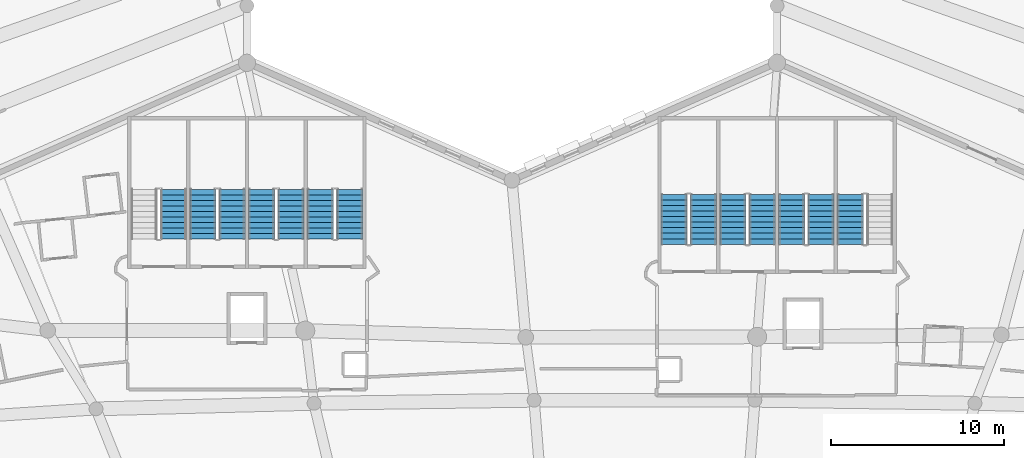
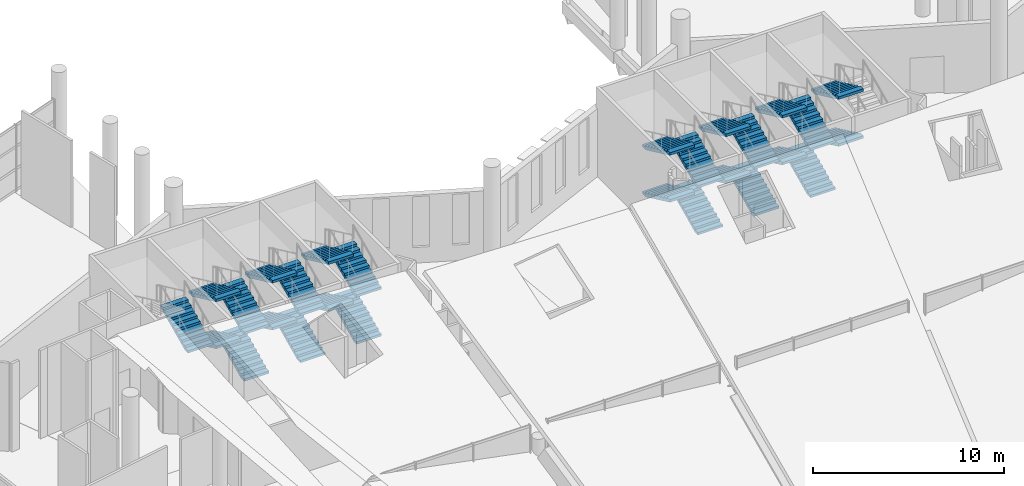
# One storey, part 194 of 249: 27 stair flights, 8 elements without a shape of their own.
"""IFC4 building model written with IfcOpenShell, lengths in metres."""

from ifc_helpers import new_model, si_unit, direction, frame, origin, place, context, subcontext, project, spatial, polyline, outline, extrude, material, type_object, element, aggregate, save


model = new_model("IFC4")

# Units and contexts
model_context = context("Model", 3, precision=1e-05, world=origin(), true_north=direction((0.0, 1.0)))
body_context = subcontext(model_context, "Body", "Model", "MODEL_VIEW")
ifc_project = project(units=[si_unit("LENGTHUNIT", "METRE"), si_unit("AREAUNIT", "SQUARE_METRE"), si_unit("VOLUMEUNIT", "CUBIC_METRE"), si_unit("PLANEANGLEUNIT", "RADIAN"), si_unit("MASSUNIT", "GRAM", prefix="KILO")], contexts=[model_context])

# Site, building, storey
site_placement = place(None, origin())
site = spatial("IfcSite", under=ifc_project, at=site_placement, CompositionType="ELEMENT")
building_placement = place(site_placement, origin())
building = spatial("IfcBuilding", under=site, at=building_placement, Name="Meseta Stadium", CompositionType="ELEMENT")
storey_placement = place(building_placement, frame((0.0, 0.0, 12.0)))
storey = spatial("IfcBuildingStorey", under=building, at=storey_placement, Name="L02", CompositionType="ELEMENT", Elevation=12.0)

# Stair, stair flights
ifc_material_1 = material(Name="Concrete C40/50", Category="concrete")
stair_type = type_object("IfcStairType", Name="Exit stair 4 flights 150 mm risers", PredefinedType="HALF_TURN_STAIR", material=ifc_material_1)
stair_1_placement = place(storey_placement, origin())
stair_1 = element("IfcStair", 1, at=stair_1_placement, inside=storey, type_object=stair_type, Name="ST37 L02", PredefinedType="HALF_TURN_STAIR")
ifc_material_2 = material(Name="Concrete C40/50", Category="concrete")
stair_flight_type = type_object("IfcStairFlightType", Name="Exit stair flight 150 mm risers, 4 per storey", PredefinedType="STRAIGHT", material=ifc_material_2)
stair_flight_1_placement = place(storey_placement, frame((11.916748046875, 97.780029296875, 1.5), z_axis=(0.0, 0.0, 1.0), x_axis=(0.0, -1.0, 0.0)))
stair_flight_1 = element("IfcStairFlight", 2, at=stair_flight_1_placement, type_object=stair_flight_type, Name="ST37 L02 flight 2", NumberOfRisers=10, NumberOfTreads=9, PredefinedType="STRAIGHT", RiserHeight=0.15, TreadLength=0.32, context=body_context, shape_type="SweptSolid", body=[
    extrude(outline(polyline([(0.0, 0.0), (0.0, 0.14990234375), (0.320068359375, 0.14990234375), (0.320068359375, 0.300048828125), (0.639892578125, 0.300048828125), (0.639892578125, 0.449951171875), (0.9599609375, 0.449951171875), (0.9599609375, 0.60009765625), (1.280029296875, 0.60009765625), (1.280029296875, 0.75), (1.60009765625, 0.75), (1.60009765625, 0.89990234375), (1.919921875, 0.89990234375), (1.919921875, 1.050048828125), (2.239990234375, 1.050048828125), (2.239990234375, 1.199951171875), (2.56005859375, 1.199951171875), (2.56005859375, 1.35009765625), (2.8798828125, 1.35009765625), (2.8798828125, 1.184326171875), (0.353271484375, 0.0), (0.0, 0.0)])), frame((0.0, 0.75, 0.0), z_axis=(0.0, -1.0, 0.0), x_axis=(1.0, 0.0, 0.0)), (0.0, 0.0, 1.0), 1.5),
])
stair_flight_2_placement = place(storey_placement, frame((11.916748046875, 97.780029296875, 4.5), z_axis=(0.0, 0.0, 1.0), x_axis=(0.0, -1.0, 0.0)))
stair_flight_2 = element("IfcStairFlight", 3, at=stair_flight_2_placement, type_object=stair_flight_type, Name="ST37 L02 flight 4", NumberOfRisers=10, NumberOfTreads=9, PredefinedType="STRAIGHT", RiserHeight=0.15, TreadLength=0.32, context=body_context, shape_type="SweptSolid", body=[
    extrude(outline(polyline([(0.0, 0.0), (0.0, 0.14990234375), (0.320068359375, 0.14990234375), (0.320068359375, 0.300048828125), (0.639892578125, 0.300048828125), (0.639892578125, 0.449951171875), (0.9599609375, 0.449951171875), (0.9599609375, 0.60009765625), (1.280029296875, 0.60009765625), (1.280029296875, 0.75), (1.60009765625, 0.75), (1.60009765625, 0.89990234375), (1.919921875, 0.89990234375), (1.919921875, 1.050048828125), (2.239990234375, 1.050048828125), (2.239990234375, 1.199951171875), (2.56005859375, 1.199951171875), (2.56005859375, 1.35009765625), (2.8798828125, 1.35009765625), (2.8798828125, 1.184326171875), (0.353271484375, 0.0), (0.0, 0.0)])), frame((0.0, 0.75, 0.0), z_axis=(0.0, -1.0, 0.0), x_axis=(1.0, 0.0, 0.0)), (0.0, 0.0, 1.0), 1.5),
])
aggregate(stair_1, [stair_flight_1, stair_flight_2])

stair_2_placement = place(storey_placement, origin())
stair_2 = element("IfcStair", 4, at=stair_2_placement, inside=storey, type_object=stair_type, Name="ST38 L02", PredefinedType="HALF_TURN_STAIR")
stair_flight_3_placement = place(storey_placement, frame((10.216552734375, 94.89990234375, 0.0), z_axis=(0.0, 0.0, 1.0), x_axis=(0.0, 1.0, 0.0)))
stair_flight_3 = element("IfcStairFlight", 5, at=stair_flight_3_placement, type_object=stair_flight_type, Name="ST38 L02 flight 1", NumberOfRisers=10, NumberOfTreads=9, PredefinedType="STRAIGHT", RiserHeight=0.15, TreadLength=0.32, context=body_context, shape_type="SweptSolid", body=[
    extrude(outline(polyline([(0.0, 0.0), (0.0, 0.14990234375), (0.320068359375, 0.14990234375), (0.320068359375, 0.300048828125), (0.639892578125, 0.300048828125), (0.639892578125, 0.449951171875), (0.9599609375, 0.449951171875), (0.9599609375, 0.60009765625), (1.280029296875, 0.60009765625), (1.280029296875, 0.75), (1.60009765625, 0.75), (1.60009765625, 0.89990234375), (1.919921875, 0.89990234375), (1.919921875, 1.050048828125), (2.239990234375, 1.050048828125), (2.239990234375, 1.199951171875), (2.56005859375, 1.199951171875), (2.56005859375, 1.35009765625), (2.8798828125, 1.35009765625), (2.8798828125, 1.184326171875), (0.353271484375, 0.0), (0.0, 0.0)])), frame((0.0, 0.75, 0.0), z_axis=(0.0, -1.0, 0.0), x_axis=(1.0, 0.0, 0.0)), (0.0, 0.0, 1.0), 1.5),
])
stair_flight_4_placement = place(storey_placement, frame((8.5166015625, 97.780029296875, 1.5), z_axis=(0.0, 0.0, 1.0), x_axis=(0.0, -1.0, 0.0)))
stair_flight_4 = element("IfcStairFlight", 6, at=stair_flight_4_placement, type_object=stair_flight_type, Name="ST38 L02 flight 2", NumberOfRisers=10, NumberOfTreads=9, PredefinedType="STRAIGHT", RiserHeight=0.15, TreadLength=0.32, context=body_context, shape_type="SweptSolid", body=[
    extrude(outline(polyline([(0.0, 0.0), (0.0, 0.14990234375), (0.320068359375, 0.14990234375), (0.320068359375, 0.300048828125), (0.639892578125, 0.300048828125), (0.639892578125, 0.449951171875), (0.9599609375, 0.449951171875), (0.9599609375, 0.60009765625), (1.280029296875, 0.60009765625), (1.280029296875, 0.75), (1.60009765625, 0.75), (1.60009765625, 0.89990234375), (1.919921875, 0.89990234375), (1.919921875, 1.050048828125), (2.239990234375, 1.050048828125), (2.239990234375, 1.199951171875), (2.56005859375, 1.199951171875), (2.56005859375, 1.35009765625), (2.8798828125, 1.35009765625), (2.8798828125, 1.184326171875), (0.353271484375, 0.0), (0.0, 0.0)])), frame((0.0, 0.75, 0.0), z_axis=(0.0, -1.0, 0.0), x_axis=(1.0, 0.0, 0.0)), (0.0, 0.0, 1.0), 1.5),
])
stair_flight_5_placement = place(storey_placement, frame((10.216552734375, 94.89990234375, 3.0), z_axis=(0.0, 0.0, 1.0), x_axis=(0.0, 1.0, 0.0)))
stair_flight_5 = element("IfcStairFlight", 7, at=stair_flight_5_placement, type_object=stair_flight_type, Name="ST38 L02 flight 3", NumberOfRisers=10, NumberOfTreads=9, PredefinedType="STRAIGHT", RiserHeight=0.15, TreadLength=0.32, context=body_context, shape_type="SweptSolid", body=[
    extrude(outline(polyline([(0.0, 0.0), (0.0, 0.14990234375), (0.320068359375, 0.14990234375), (0.320068359375, 0.300048828125), (0.639892578125, 0.300048828125), (0.639892578125, 0.449951171875), (0.9599609375, 0.449951171875), (0.9599609375, 0.60009765625), (1.280029296875, 0.60009765625), (1.280029296875, 0.75), (1.60009765625, 0.75), (1.60009765625, 0.89990234375), (1.919921875, 0.89990234375), (1.919921875, 1.050048828125), (2.239990234375, 1.050048828125), (2.239990234375, 1.199951171875), (2.56005859375, 1.199951171875), (2.56005859375, 1.35009765625), (2.8798828125, 1.35009765625), (2.8798828125, 1.184326171875), (0.353271484375, 0.0), (0.0, 0.0)])), frame((0.0, 0.75, 0.0), z_axis=(0.0, -1.0, 0.0), x_axis=(1.0, 0.0, 0.0)), (0.0, 0.0, 1.0), 1.5),
])
stair_flight_6_placement = place(storey_placement, frame((8.5166015625, 97.780029296875, 4.5), z_axis=(0.0, 0.0, 1.0), x_axis=(0.0, -1.0, 0.0)))
stair_flight_6 = element("IfcStairFlight", 8, at=stair_flight_6_placement, type_object=stair_flight_type, Name="ST38 L02 flight 4", NumberOfRisers=10, NumberOfTreads=9, PredefinedType="STRAIGHT", RiserHeight=0.15, TreadLength=0.32, context=body_context, shape_type="SweptSolid", body=[
    extrude(outline(polyline([(0.0, 0.0), (0.0, 0.14990234375), (0.320068359375, 0.14990234375), (0.320068359375, 0.300048828125), (0.639892578125, 0.300048828125), (0.639892578125, 0.449951171875), (0.9599609375, 0.449951171875), (0.9599609375, 0.60009765625), (1.280029296875, 0.60009765625), (1.280029296875, 0.75), (1.60009765625, 0.75), (1.60009765625, 0.89990234375), (1.919921875, 0.89990234375), (1.919921875, 1.050048828125), (2.239990234375, 1.050048828125), (2.239990234375, 1.199951171875), (2.56005859375, 1.199951171875), (2.56005859375, 1.35009765625), (2.8798828125, 1.35009765625), (2.8798828125, 1.184326171875), (0.353271484375, 0.0), (0.0, 0.0)])), frame((0.0, 0.75, 0.0), z_axis=(0.0, -1.0, 0.0), x_axis=(1.0, 0.0, 0.0)), (0.0, 0.0, 1.0), 1.5),
])
aggregate(stair_2, [stair_flight_3, stair_flight_4, stair_flight_5, stair_flight_6])

stair_3_placement = place(storey_placement, origin())
stair_3 = element("IfcStair", 9, at=stair_3_placement, inside=storey, type_object=stair_type, Name="ST39 L02", PredefinedType="HALF_TURN_STAIR")
stair_flight_7_placement = place(storey_placement, frame((6.816650390625, 94.89990234375, 0.0), z_axis=(0.0, 0.0, 1.0), x_axis=(0.0, 1.0, 0.0)))
stair_flight_7 = element("IfcStairFlight", 10, at=stair_flight_7_placement, type_object=stair_flight_type, Name="ST39 L02 flight 1", NumberOfRisers=10, NumberOfTreads=9, PredefinedType="STRAIGHT", RiserHeight=0.15, TreadLength=0.32, context=body_context, shape_type="SweptSolid", body=[
    extrude(outline(polyline([(0.0, 0.0), (0.0, 0.14990234375), (0.320068359375, 0.14990234375), (0.320068359375, 0.300048828125), (0.639892578125, 0.300048828125), (0.639892578125, 0.449951171875), (0.9599609375, 0.449951171875), (0.9599609375, 0.60009765625), (1.280029296875, 0.60009765625), (1.280029296875, 0.75), (1.60009765625, 0.75), (1.60009765625, 0.89990234375), (1.919921875, 0.89990234375), (1.919921875, 1.050048828125), (2.239990234375, 1.050048828125), (2.239990234375, 1.199951171875), (2.56005859375, 1.199951171875), (2.56005859375, 1.35009765625), (2.8798828125, 1.35009765625), (2.8798828125, 1.184326171875), (0.353271484375, 0.0), (0.0, 0.0)])), frame((0.0, 0.75, 0.0), z_axis=(0.0, -1.0, 0.0), x_axis=(1.0, 0.0, 0.0)), (0.0, 0.0, 1.0), 1.5),
])
stair_flight_8_placement = place(storey_placement, frame((5.11669921875, 97.780029296875, 1.5), z_axis=(0.0, 0.0, 1.0), x_axis=(0.0, -1.0, 0.0)))
stair_flight_8 = element("IfcStairFlight", 11, at=stair_flight_8_placement, type_object=stair_flight_type, Name="ST39 L02 flight 2", NumberOfRisers=10, NumberOfTreads=9, PredefinedType="STRAIGHT", RiserHeight=0.15, TreadLength=0.32, context=body_context, shape_type="SweptSolid", body=[
    extrude(outline(polyline([(0.0, 0.0), (0.0, 0.14990234375), (0.320068359375, 0.14990234375), (0.320068359375, 0.300048828125), (0.639892578125, 0.300048828125), (0.639892578125, 0.449951171875), (0.9599609375, 0.449951171875), (0.9599609375, 0.60009765625), (1.280029296875, 0.60009765625), (1.280029296875, 0.75), (1.60009765625, 0.75), (1.60009765625, 0.89990234375), (1.919921875, 0.89990234375), (1.919921875, 1.050048828125), (2.239990234375, 1.050048828125), (2.239990234375, 1.199951171875), (2.56005859375, 1.199951171875), (2.56005859375, 1.35009765625), (2.8798828125, 1.35009765625), (2.8798828125, 1.184326171875), (0.353271484375, 0.0), (0.0, 0.0)])), frame((0.0, 0.75, 0.0), z_axis=(0.0, -1.0, 0.0), x_axis=(1.0, 0.0, 0.0)), (0.0, 0.0, 1.0), 1.5),
])
stair_flight_9_placement = place(storey_placement, frame((6.816650390625, 94.89990234375, 3.0), z_axis=(0.0, 0.0, 1.0), x_axis=(0.0, 1.0, 0.0)))
stair_flight_9 = element("IfcStairFlight", 12, at=stair_flight_9_placement, type_object=stair_flight_type, Name="ST39 L02 flight 3", NumberOfRisers=10, NumberOfTreads=9, PredefinedType="STRAIGHT", RiserHeight=0.15, TreadLength=0.32, context=body_context, shape_type="SweptSolid", body=[
    extrude(outline(polyline([(0.0, 0.0), (0.0, 0.14990234375), (0.320068359375, 0.14990234375), (0.320068359375, 0.300048828125), (0.639892578125, 0.300048828125), (0.639892578125, 0.449951171875), (0.9599609375, 0.449951171875), (0.9599609375, 0.60009765625), (1.280029296875, 0.60009765625), (1.280029296875, 0.75), (1.60009765625, 0.75), (1.60009765625, 0.89990234375), (1.919921875, 0.89990234375), (1.919921875, 1.050048828125), (2.239990234375, 1.050048828125), (2.239990234375, 1.199951171875), (2.56005859375, 1.199951171875), (2.56005859375, 1.35009765625), (2.8798828125, 1.35009765625), (2.8798828125, 1.184326171875), (0.353271484375, 0.0), (0.0, 0.0)])), frame((0.0, 0.75, 0.0), z_axis=(0.0, -1.0, 0.0), x_axis=(1.0, 0.0, 0.0)), (0.0, 0.0, 1.0), 1.5),
])
stair_flight_10_placement = place(storey_placement, frame((5.11669921875, 97.780029296875, 4.5), z_axis=(0.0, 0.0, 1.0), x_axis=(0.0, -1.0, 0.0)))
stair_flight_10 = element("IfcStairFlight", 13, at=stair_flight_10_placement, type_object=stair_flight_type, Name="ST39 L02 flight 4", NumberOfRisers=10, NumberOfTreads=9, PredefinedType="STRAIGHT", RiserHeight=0.15, TreadLength=0.32, context=body_context, shape_type="SweptSolid", body=[
    extrude(outline(polyline([(0.0, 0.0), (0.0, 0.14990234375), (0.320068359375, 0.14990234375), (0.320068359375, 0.300048828125), (0.639892578125, 0.300048828125), (0.639892578125, 0.449951171875), (0.9599609375, 0.449951171875), (0.9599609375, 0.60009765625), (1.280029296875, 0.60009765625), (1.280029296875, 0.75), (1.60009765625, 0.75), (1.60009765625, 0.89990234375), (1.919921875, 0.89990234375), (1.919921875, 1.050048828125), (2.239990234375, 1.050048828125), (2.239990234375, 1.199951171875), (2.56005859375, 1.199951171875), (2.56005859375, 1.35009765625), (2.8798828125, 1.35009765625), (2.8798828125, 1.184326171875), (0.353271484375, 0.0), (0.0, 0.0)])), frame((0.0, 0.75, 0.0), z_axis=(0.0, -1.0, 0.0), x_axis=(1.0, 0.0, 0.0)), (0.0, 0.0, 1.0), 1.5),
])
aggregate(stair_3, [stair_flight_7, stair_flight_8, stair_flight_9, stair_flight_10])

stair_4_placement = place(storey_placement, origin())
stair_4 = element("IfcStair", 14, at=stair_4_placement, inside=storey, type_object=stair_type, Name="ST40 L02", PredefinedType="HALF_TURN_STAIR")
stair_flight_11_placement = place(storey_placement, frame((3.416748046875, 94.89990234375, 0.0), z_axis=(0.0, 0.0, 1.0), x_axis=(0.0, 1.0, 0.0)))
stair_flight_11 = element("IfcStairFlight", 15, at=stair_flight_11_placement, type_object=stair_flight_type, Name="ST40 L02 flight 1", NumberOfRisers=10, NumberOfTreads=9, PredefinedType="STRAIGHT", RiserHeight=0.15, TreadLength=0.32, context=body_context, shape_type="SweptSolid", body=[
    extrude(outline(polyline([(0.0, 0.0), (0.0, 0.14990234375), (0.320068359375, 0.14990234375), (0.320068359375, 0.300048828125), (0.639892578125, 0.300048828125), (0.639892578125, 0.449951171875), (0.9599609375, 0.449951171875), (0.9599609375, 0.60009765625), (1.280029296875, 0.60009765625), (1.280029296875, 0.75), (1.60009765625, 0.75), (1.60009765625, 0.89990234375), (1.919921875, 0.89990234375), (1.919921875, 1.050048828125), (2.239990234375, 1.050048828125), (2.239990234375, 1.199951171875), (2.56005859375, 1.199951171875), (2.56005859375, 1.35009765625), (2.8798828125, 1.35009765625), (2.8798828125, 1.184326171875), (0.353271484375, 0.0), (0.0, 0.0)])), frame((0.0, 0.75, 0.0), z_axis=(0.0, -1.0, 0.0), x_axis=(1.0, 0.0, 0.0)), (0.0, 0.0, 1.0), 1.5),
])
stair_flight_12_placement = place(storey_placement, frame((1.716552734375, 97.780029296875, 1.5), z_axis=(0.0, 0.0, 1.0), x_axis=(0.0, -1.0, 0.0)))
stair_flight_12 = element("IfcStairFlight", 16, at=stair_flight_12_placement, type_object=stair_flight_type, Name="ST40 L02 flight 2", NumberOfRisers=10, NumberOfTreads=9, PredefinedType="STRAIGHT", RiserHeight=0.15, TreadLength=0.32, context=body_context, shape_type="SweptSolid", body=[
    extrude(outline(polyline([(0.0, 0.0), (0.0, 0.14990234375), (0.320068359375, 0.14990234375), (0.320068359375, 0.300048828125), (0.639892578125, 0.300048828125), (0.639892578125, 0.449951171875), (0.9599609375, 0.449951171875), (0.9599609375, 0.60009765625), (1.280029296875, 0.60009765625), (1.280029296875, 0.75), (1.60009765625, 0.75), (1.60009765625, 0.89990234375), (1.919921875, 0.89990234375), (1.919921875, 1.050048828125), (2.239990234375, 1.050048828125), (2.239990234375, 1.199951171875), (2.56005859375, 1.199951171875), (2.56005859375, 1.35009765625), (2.8798828125, 1.35009765625), (2.8798828125, 1.184326171875), (0.353271484375, 0.0), (0.0, 0.0)])), frame((0.0, 0.75, 0.0), z_axis=(0.0, -1.0, 0.0), x_axis=(1.0, 0.0, 0.0)), (0.0, 0.0, 1.0), 1.5),
])
stair_flight_13_placement = place(storey_placement, frame((3.416748046875, 94.89990234375, 3.0), z_axis=(0.0, 0.0, 1.0), x_axis=(0.0, 1.0, 0.0)))
stair_flight_13 = element("IfcStairFlight", 17, at=stair_flight_13_placement, type_object=stair_flight_type, Name="ST40 L02 flight 3", NumberOfRisers=10, NumberOfTreads=9, PredefinedType="STRAIGHT", RiserHeight=0.15, TreadLength=0.32, context=body_context, shape_type="SweptSolid", body=[
    extrude(outline(polyline([(0.0, 0.0), (0.0, 0.14990234375), (0.320068359375, 0.14990234375), (0.320068359375, 0.300048828125), (0.639892578125, 0.300048828125), (0.639892578125, 0.449951171875), (0.9599609375, 0.449951171875), (0.9599609375, 0.60009765625), (1.280029296875, 0.60009765625), (1.280029296875, 0.75), (1.60009765625, 0.75), (1.60009765625, 0.89990234375), (1.919921875, 0.89990234375), (1.919921875, 1.050048828125), (2.239990234375, 1.050048828125), (2.239990234375, 1.199951171875), (2.56005859375, 1.199951171875), (2.56005859375, 1.35009765625), (2.8798828125, 1.35009765625), (2.8798828125, 1.184326171875), (0.353271484375, 0.0), (0.0, 0.0)])), frame((0.0, 0.75, 0.0), z_axis=(0.0, -1.0, 0.0), x_axis=(1.0, 0.0, 0.0)), (0.0, 0.0, 1.0), 1.5),
])
stair_flight_14_placement = place(storey_placement, frame((1.716552734375, 97.780029296875, 4.5), z_axis=(0.0, 0.0, 1.0), x_axis=(0.0, -1.0, 0.0)))
stair_flight_14 = element("IfcStairFlight", 18, at=stair_flight_14_placement, type_object=stair_flight_type, Name="ST40 L02 flight 4", NumberOfRisers=10, NumberOfTreads=9, PredefinedType="STRAIGHT", RiserHeight=0.15, TreadLength=0.32, context=body_context, shape_type="SweptSolid", body=[
    extrude(outline(polyline([(0.0, 0.0), (0.0, 0.14990234375), (0.320068359375, 0.14990234375), (0.320068359375, 0.300048828125), (0.639892578125, 0.300048828125), (0.639892578125, 0.449951171875), (0.9599609375, 0.449951171875), (0.9599609375, 0.60009765625), (1.280029296875, 0.60009765625), (1.280029296875, 0.75), (1.60009765625, 0.75), (1.60009765625, 0.89990234375), (1.919921875, 0.89990234375), (1.919921875, 1.050048828125), (2.239990234375, 1.050048828125), (2.239990234375, 1.199951171875), (2.56005859375, 1.199951171875), (2.56005859375, 1.35009765625), (2.8798828125, 1.35009765625), (2.8798828125, 1.184326171875), (0.353271484375, 0.0), (0.0, 0.0)])), frame((0.0, 0.75, 0.0), z_axis=(0.0, -1.0, 0.0), x_axis=(1.0, 0.0, 0.0)), (0.0, 0.0, 1.0), 1.5),
])
aggregate(stair_4, [stair_flight_11, stair_flight_12, stair_flight_13, stair_flight_14])

stair_5_placement = place(storey_placement, origin())
stair_5 = element("IfcStair", 19, at=stair_5_placement, inside=storey, type_object=stair_type, Name="ST41 L02", PredefinedType="HALF_TURN_STAIR")
stair_flight_15_placement = place(storey_placement, frame((-17.050048828125, 95.199951171875, 0.0), z_axis=(0.0, 0.0, 1.0), x_axis=(0.0, 1.0, 0.0)))
stair_flight_15 = element("IfcStairFlight", 20, at=stair_flight_15_placement, type_object=stair_flight_type, Name="ST41 L02 flight 1", NumberOfRisers=10, NumberOfTreads=9, PredefinedType="STRAIGHT", RiserHeight=0.15, TreadLength=0.32, context=body_context, shape_type="SweptSolid", body=[
    extrude(outline(polyline([(0.0, 0.0), (0.0, 0.14990234375), (0.320068359375, 0.14990234375), (0.320068359375, 0.300048828125), (0.639892578125, 0.300048828125), (0.639892578125, 0.449951171875), (0.9599609375, 0.449951171875), (0.9599609375, 0.60009765625), (1.280029296875, 0.60009765625), (1.280029296875, 0.75), (1.60009765625, 0.75), (1.60009765625, 0.89990234375), (1.919921875, 0.89990234375), (1.919921875, 1.050048828125), (2.239990234375, 1.050048828125), (2.239990234375, 1.199951171875), (2.56005859375, 1.199951171875), (2.56005859375, 1.35009765625), (2.8798828125, 1.35009765625), (2.8798828125, 1.184326171875), (0.353271484375, 0.0), (0.0, 0.0)])), frame((0.0, 0.75, 0.0), z_axis=(0.0, -1.0, 0.0), x_axis=(1.0, 0.0, 0.0)), (0.0, 0.0, 1.0), 1.5),
])
stair_flight_16_placement = place(storey_placement, frame((-18.75, 98.080078125, 1.5), z_axis=(0.0, 0.0, 1.0), x_axis=(0.0, -1.0, 0.0)))
stair_flight_16 = element("IfcStairFlight", 21, at=stair_flight_16_placement, type_object=stair_flight_type, Name="ST41 L02 flight 2", NumberOfRisers=10, NumberOfTreads=9, PredefinedType="STRAIGHT", RiserHeight=0.15, TreadLength=0.32, context=body_context, shape_type="SweptSolid", body=[
    extrude(outline(polyline([(0.0, 0.0), (0.0, 0.14990234375), (0.320068359375, 0.14990234375), (0.320068359375, 0.300048828125), (0.639892578125, 0.300048828125), (0.639892578125, 0.449951171875), (0.9599609375, 0.449951171875), (0.9599609375, 0.60009765625), (1.280029296875, 0.60009765625), (1.280029296875, 0.75), (1.60009765625, 0.75), (1.60009765625, 0.89990234375), (1.919921875, 0.89990234375), (1.919921875, 1.050048828125), (2.239990234375, 1.050048828125), (2.239990234375, 1.199951171875), (2.56005859375, 1.199951171875), (2.56005859375, 1.35009765625), (2.8798828125, 1.35009765625), (2.8798828125, 1.184326171875), (0.353271484375, 0.0), (0.0, 0.0)])), frame((0.0, 0.75, 0.0), z_axis=(0.0, -1.0, 0.0), x_axis=(1.0, 0.0, 0.0)), (0.0, 0.0, 1.0), 1.5),
])
stair_flight_17_placement = place(storey_placement, frame((-17.050048828125, 95.199951171875, 3.0), z_axis=(0.0, 0.0, 1.0), x_axis=(0.0, 1.0, 0.0)))
stair_flight_17 = element("IfcStairFlight", 22, at=stair_flight_17_placement, type_object=stair_flight_type, Name="ST41 L02 flight 3", NumberOfRisers=10, NumberOfTreads=9, PredefinedType="STRAIGHT", RiserHeight=0.15, TreadLength=0.32, context=body_context, shape_type="SweptSolid", body=[
    extrude(outline(polyline([(0.0, 0.0), (0.0, 0.14990234375), (0.320068359375, 0.14990234375), (0.320068359375, 0.300048828125), (0.639892578125, 0.300048828125), (0.639892578125, 0.449951171875), (0.9599609375, 0.449951171875), (0.9599609375, 0.60009765625), (1.280029296875, 0.60009765625), (1.280029296875, 0.75), (1.60009765625, 0.75), (1.60009765625, 0.89990234375), (1.919921875, 0.89990234375), (1.919921875, 1.050048828125), (2.239990234375, 1.050048828125), (2.239990234375, 1.199951171875), (2.56005859375, 1.199951171875), (2.56005859375, 1.35009765625), (2.8798828125, 1.35009765625), (2.8798828125, 1.184326171875), (0.353271484375, 0.0), (0.0, 0.0)])), frame((0.0, 0.75, 0.0), z_axis=(0.0, -1.0, 0.0), x_axis=(1.0, 0.0, 0.0)), (0.0, 0.0, 1.0), 1.5),
])
stair_flight_18_placement = place(storey_placement, frame((-18.75, 98.080078125, 4.5), z_axis=(0.0, 0.0, 1.0), x_axis=(0.0, -1.0, 0.0)))
stair_flight_18 = element("IfcStairFlight", 23, at=stair_flight_18_placement, type_object=stair_flight_type, Name="ST41 L02 flight 4", NumberOfRisers=10, NumberOfTreads=9, PredefinedType="STRAIGHT", RiserHeight=0.15, TreadLength=0.32, context=body_context, shape_type="SweptSolid", body=[
    extrude(outline(polyline([(0.0, 0.0), (0.0, 0.14990234375), (0.320068359375, 0.14990234375), (0.320068359375, 0.300048828125), (0.639892578125, 0.300048828125), (0.639892578125, 0.449951171875), (0.9599609375, 0.449951171875), (0.9599609375, 0.60009765625), (1.280029296875, 0.60009765625), (1.280029296875, 0.75), (1.60009765625, 0.75), (1.60009765625, 0.89990234375), (1.919921875, 0.89990234375), (1.919921875, 1.050048828125), (2.239990234375, 1.050048828125), (2.239990234375, 1.199951171875), (2.56005859375, 1.199951171875), (2.56005859375, 1.35009765625), (2.8798828125, 1.35009765625), (2.8798828125, 1.184326171875), (0.353271484375, 0.0), (0.0, 0.0)])), frame((0.0, 0.75, 0.0), z_axis=(0.0, -1.0, 0.0), x_axis=(1.0, 0.0, 0.0)), (0.0, 0.0, 1.0), 1.5),
])
aggregate(stair_5, [stair_flight_15, stair_flight_16, stair_flight_17, stair_flight_18])

stair_6_placement = place(storey_placement, origin())
stair_6 = element("IfcStair", 24, at=stair_6_placement, inside=storey, type_object=stair_type, Name="ST42 L02", PredefinedType="HALF_TURN_STAIR")
stair_flight_19_placement = place(storey_placement, frame((-20.449951171875, 95.199951171875, 0.0), z_axis=(0.0, 0.0, 1.0), x_axis=(0.0, 1.0, 0.0)))
stair_flight_19 = element("IfcStairFlight", 25, at=stair_flight_19_placement, type_object=stair_flight_type, Name="ST42 L02 flight 1", NumberOfRisers=10, NumberOfTreads=9, PredefinedType="STRAIGHT", RiserHeight=0.15, TreadLength=0.32, context=body_context, shape_type="SweptSolid", body=[
    extrude(outline(polyline([(0.0, 0.0), (0.0, 0.14990234375), (0.320068359375, 0.14990234375), (0.320068359375, 0.300048828125), (0.639892578125, 0.300048828125), (0.639892578125, 0.449951171875), (0.9599609375, 0.449951171875), (0.9599609375, 0.60009765625), (1.280029296875, 0.60009765625), (1.280029296875, 0.75), (1.60009765625, 0.75), (1.60009765625, 0.89990234375), (1.919921875, 0.89990234375), (1.919921875, 1.050048828125), (2.239990234375, 1.050048828125), (2.239990234375, 1.199951171875), (2.56005859375, 1.199951171875), (2.56005859375, 1.35009765625), (2.8798828125, 1.35009765625), (2.8798828125, 1.184326171875), (0.353271484375, 0.0), (0.0, 0.0)])), frame((0.0, 0.75, 0.0), z_axis=(0.0, -1.0, 0.0), x_axis=(1.0, 0.0, 0.0)), (0.0, 0.0, 1.0), 1.5),
])
stair_flight_20_placement = place(storey_placement, frame((-22.14990234375, 98.080078125, 1.5), z_axis=(0.0, 0.0, 1.0), x_axis=(0.0, -1.0, 0.0)))
stair_flight_20 = element("IfcStairFlight", 26, at=stair_flight_20_placement, type_object=stair_flight_type, Name="ST42 L02 flight 2", NumberOfRisers=10, NumberOfTreads=9, PredefinedType="STRAIGHT", RiserHeight=0.15, TreadLength=0.32, context=body_context, shape_type="SweptSolid", body=[
    extrude(outline(polyline([(0.0, 0.0), (0.0, 0.14990234375), (0.320068359375, 0.14990234375), (0.320068359375, 0.300048828125), (0.639892578125, 0.300048828125), (0.639892578125, 0.449951171875), (0.9599609375, 0.449951171875), (0.9599609375, 0.60009765625), (1.280029296875, 0.60009765625), (1.280029296875, 0.75), (1.60009765625, 0.75), (1.60009765625, 0.89990234375), (1.919921875, 0.89990234375), (1.919921875, 1.050048828125), (2.239990234375, 1.050048828125), (2.239990234375, 1.199951171875), (2.56005859375, 1.199951171875), (2.56005859375, 1.35009765625), (2.8798828125, 1.35009765625), (2.8798828125, 1.184326171875), (0.353271484375, 0.0), (0.0, 0.0)])), frame((0.0, 0.75, 0.0), z_axis=(0.0, -1.0, 0.0), x_axis=(1.0, 0.0, 0.0)), (0.0, 0.0, 1.0), 1.5),
])
stair_flight_21_placement = place(storey_placement, frame((-20.449951171875, 95.199951171875, 3.0), z_axis=(0.0, 0.0, 1.0), x_axis=(0.0, 1.0, 0.0)))
stair_flight_21 = element("IfcStairFlight", 27, at=stair_flight_21_placement, type_object=stair_flight_type, Name="ST42 L02 flight 3", NumberOfRisers=10, NumberOfTreads=9, PredefinedType="STRAIGHT", RiserHeight=0.15, TreadLength=0.32, context=body_context, shape_type="SweptSolid", body=[
    extrude(outline(polyline([(0.0, 0.0), (0.0, 0.14990234375), (0.320068359375, 0.14990234375), (0.320068359375, 0.300048828125), (0.639892578125, 0.300048828125), (0.639892578125, 0.449951171875), (0.9599609375, 0.449951171875), (0.9599609375, 0.60009765625), (1.280029296875, 0.60009765625), (1.280029296875, 0.75), (1.60009765625, 0.75), (1.60009765625, 0.89990234375), (1.919921875, 0.89990234375), (1.919921875, 1.050048828125), (2.239990234375, 1.050048828125), (2.239990234375, 1.199951171875), (2.56005859375, 1.199951171875), (2.56005859375, 1.35009765625), (2.8798828125, 1.35009765625), (2.8798828125, 1.184326171875), (0.353271484375, 0.0), (0.0, 0.0)])), frame((0.0, 0.75, 0.0), z_axis=(0.0, -1.0, 0.0), x_axis=(1.0, 0.0, 0.0)), (0.0, 0.0, 1.0), 1.5),
])
stair_flight_22_placement = place(storey_placement, frame((-22.14990234375, 98.080078125, 4.5), z_axis=(0.0, 0.0, 1.0), x_axis=(0.0, -1.0, 0.0)))
stair_flight_22 = element("IfcStairFlight", 28, at=stair_flight_22_placement, type_object=stair_flight_type, Name="ST42 L02 flight 4", NumberOfRisers=10, NumberOfTreads=9, PredefinedType="STRAIGHT", RiserHeight=0.15, TreadLength=0.32, context=body_context, shape_type="SweptSolid", body=[
    extrude(outline(polyline([(0.0, 0.0), (0.0, 0.14990234375), (0.320068359375, 0.14990234375), (0.320068359375, 0.300048828125), (0.639892578125, 0.300048828125), (0.639892578125, 0.449951171875), (0.9599609375, 0.449951171875), (0.9599609375, 0.60009765625), (1.280029296875, 0.60009765625), (1.280029296875, 0.75), (1.60009765625, 0.75), (1.60009765625, 0.89990234375), (1.919921875, 0.89990234375), (1.919921875, 1.050048828125), (2.239990234375, 1.050048828125), (2.239990234375, 1.199951171875), (2.56005859375, 1.199951171875), (2.56005859375, 1.35009765625), (2.8798828125, 1.35009765625), (2.8798828125, 1.184326171875), (0.353271484375, 0.0), (0.0, 0.0)])), frame((0.0, 0.75, 0.0), z_axis=(0.0, -1.0, 0.0), x_axis=(1.0, 0.0, 0.0)), (0.0, 0.0, 1.0), 1.5),
])
aggregate(stair_6, [stair_flight_19, stair_flight_20, stair_flight_21, stair_flight_22])

stair_7_placement = place(storey_placement, origin())
stair_7 = element("IfcStair", 29, at=stair_7_placement, inside=storey, type_object=stair_type, Name="ST43 L02", PredefinedType="HALF_TURN_STAIR")
stair_flight_23_placement = place(storey_placement, frame((-23.85009765625, 95.199951171875, 0.0), z_axis=(0.0, 0.0, 1.0), x_axis=(0.0, 1.0, 0.0)))
stair_flight_23 = element("IfcStairFlight", 30, at=stair_flight_23_placement, type_object=stair_flight_type, Name="ST43 L02 flight 1", NumberOfRisers=10, NumberOfTreads=9, PredefinedType="STRAIGHT", RiserHeight=0.15, TreadLength=0.32, context=body_context, shape_type="SweptSolid", body=[
    extrude(outline(polyline([(0.0, 0.0), (0.0, 0.14990234375), (0.320068359375, 0.14990234375), (0.320068359375, 0.300048828125), (0.639892578125, 0.300048828125), (0.639892578125, 0.449951171875), (0.9599609375, 0.449951171875), (0.9599609375, 0.60009765625), (1.280029296875, 0.60009765625), (1.280029296875, 0.75), (1.60009765625, 0.75), (1.60009765625, 0.89990234375), (1.919921875, 0.89990234375), (1.919921875, 1.050048828125), (2.239990234375, 1.050048828125), (2.239990234375, 1.199951171875), (2.56005859375, 1.199951171875), (2.56005859375, 1.35009765625), (2.8798828125, 1.35009765625), (2.8798828125, 1.184326171875), (0.353271484375, 0.0), (0.0, 0.0)])), frame((0.0, 0.75, 0.0), z_axis=(0.0, -1.0, 0.0), x_axis=(1.0, 0.0, 0.0)), (0.0, 0.0, 1.0), 1.5),
])
stair_flight_24_placement = place(storey_placement, frame((-25.550048828125, 98.080078125, 1.5), z_axis=(0.0, 0.0, 1.0), x_axis=(0.0, -1.0, 0.0)))
stair_flight_24 = element("IfcStairFlight", 31, at=stair_flight_24_placement, type_object=stair_flight_type, Name="ST43 L02 flight 2", NumberOfRisers=10, NumberOfTreads=9, PredefinedType="STRAIGHT", RiserHeight=0.15, TreadLength=0.32, context=body_context, shape_type="SweptSolid", body=[
    extrude(outline(polyline([(0.0, 0.0), (0.0, 0.14990234375), (0.320068359375, 0.14990234375), (0.320068359375, 0.300048828125), (0.639892578125, 0.300048828125), (0.639892578125, 0.449951171875), (0.9599609375, 0.449951171875), (0.9599609375, 0.60009765625), (1.280029296875, 0.60009765625), (1.280029296875, 0.75), (1.60009765625, 0.75), (1.60009765625, 0.89990234375), (1.919921875, 0.89990234375), (1.919921875, 1.050048828125), (2.239990234375, 1.050048828125), (2.239990234375, 1.199951171875), (2.56005859375, 1.199951171875), (2.56005859375, 1.35009765625), (2.8798828125, 1.35009765625), (2.8798828125, 1.184326171875), (0.353271484375, 0.0), (0.0, 0.0)])), frame((0.0, 0.75, 0.0), z_axis=(0.0, -1.0, 0.0), x_axis=(1.0, 0.0, 0.0)), (0.0, 0.0, 1.0), 1.5),
])
stair_flight_25_placement = place(storey_placement, frame((-23.85009765625, 95.199951171875, 3.0), z_axis=(0.0, 0.0, 1.0), x_axis=(0.0, 1.0, 0.0)))
stair_flight_25 = element("IfcStairFlight", 32, at=stair_flight_25_placement, type_object=stair_flight_type, Name="ST43 L02 flight 3", NumberOfRisers=10, NumberOfTreads=9, PredefinedType="STRAIGHT", RiserHeight=0.15, TreadLength=0.32, context=body_context, shape_type="SweptSolid", body=[
    extrude(outline(polyline([(0.0, 0.0), (0.0, 0.14990234375), (0.320068359375, 0.14990234375), (0.320068359375, 0.300048828125), (0.639892578125, 0.300048828125), (0.639892578125, 0.449951171875), (0.9599609375, 0.449951171875), (0.9599609375, 0.60009765625), (1.280029296875, 0.60009765625), (1.280029296875, 0.75), (1.60009765625, 0.75), (1.60009765625, 0.89990234375), (1.919921875, 0.89990234375), (1.919921875, 1.050048828125), (2.239990234375, 1.050048828125), (2.239990234375, 1.199951171875), (2.56005859375, 1.199951171875), (2.56005859375, 1.35009765625), (2.8798828125, 1.35009765625), (2.8798828125, 1.184326171875), (0.353271484375, 0.0), (0.0, 0.0)])), frame((0.0, 0.75, 0.0), z_axis=(0.0, -1.0, 0.0), x_axis=(1.0, 0.0, 0.0)), (0.0, 0.0, 1.0), 1.5),
])
stair_flight_26_placement = place(storey_placement, frame((-25.550048828125, 98.080078125, 4.5), z_axis=(0.0, 0.0, 1.0), x_axis=(0.0, -1.0, 0.0)))
stair_flight_26 = element("IfcStairFlight", 33, at=stair_flight_26_placement, type_object=stair_flight_type, Name="ST43 L02 flight 4", NumberOfRisers=10, NumberOfTreads=9, PredefinedType="STRAIGHT", RiserHeight=0.15, TreadLength=0.32, context=body_context, shape_type="SweptSolid", body=[
    extrude(outline(polyline([(0.0, 0.0), (0.0, 0.14990234375), (0.320068359375, 0.14990234375), (0.320068359375, 0.300048828125), (0.639892578125, 0.300048828125), (0.639892578125, 0.449951171875), (0.9599609375, 0.449951171875), (0.9599609375, 0.60009765625), (1.280029296875, 0.60009765625), (1.280029296875, 0.75), (1.60009765625, 0.75), (1.60009765625, 0.89990234375), (1.919921875, 0.89990234375), (1.919921875, 1.050048828125), (2.239990234375, 1.050048828125), (2.239990234375, 1.199951171875), (2.56005859375, 1.199951171875), (2.56005859375, 1.35009765625), (2.8798828125, 1.35009765625), (2.8798828125, 1.184326171875), (0.353271484375, 0.0), (0.0, 0.0)])), frame((0.0, 0.75, 0.0), z_axis=(0.0, -1.0, 0.0), x_axis=(1.0, 0.0, 0.0)), (0.0, 0.0, 1.0), 1.5),
])
aggregate(stair_7, [stair_flight_23, stair_flight_24, stair_flight_25, stair_flight_26])

# Stair, stair flight
stair_8_placement = place(storey_placement, origin())
stair_8 = element("IfcStair", 34, at=stair_8_placement, inside=storey, type_object=stair_type, Name="ST44 L02", PredefinedType="HALF_TURN_STAIR")
stair_flight_27_placement = place(storey_placement, frame((-27.25, 95.199951171875, 3.0), z_axis=(0.0, 0.0, 1.0), x_axis=(0.0, 1.0, 0.0)))
stair_flight_27 = element("IfcStairFlight", 35, at=stair_flight_27_placement, type_object=stair_flight_type, Name="ST44 L02 flight 3", NumberOfRisers=10, NumberOfTreads=9, PredefinedType="STRAIGHT", RiserHeight=0.15, TreadLength=0.32, context=body_context, shape_type="SweptSolid", body=[
    extrude(outline(polyline([(0.0, 0.0), (0.0, 0.14990234375), (0.320068359375, 0.14990234375), (0.320068359375, 0.300048828125), (0.639892578125, 0.300048828125), (0.639892578125, 0.449951171875), (0.9599609375, 0.449951171875), (0.9599609375, 0.60009765625), (1.280029296875, 0.60009765625), (1.280029296875, 0.75), (1.60009765625, 0.75), (1.60009765625, 0.89990234375), (1.919921875, 0.89990234375), (1.919921875, 1.050048828125), (2.239990234375, 1.050048828125), (2.239990234375, 1.199951171875), (2.56005859375, 1.199951171875), (2.56005859375, 1.35009765625), (2.8798828125, 1.35009765625), (2.8798828125, 1.184326171875), (0.353271484375, 0.0), (0.0, 0.0)])), frame((0.0, 0.75, 0.0), z_axis=(0.0, -1.0, 0.0), x_axis=(1.0, 0.0, 0.0)), (0.0, 0.0, 1.0), 1.5),
])
aggregate(stair_8, [stair_flight_27])

save(model, "model.ifc")
